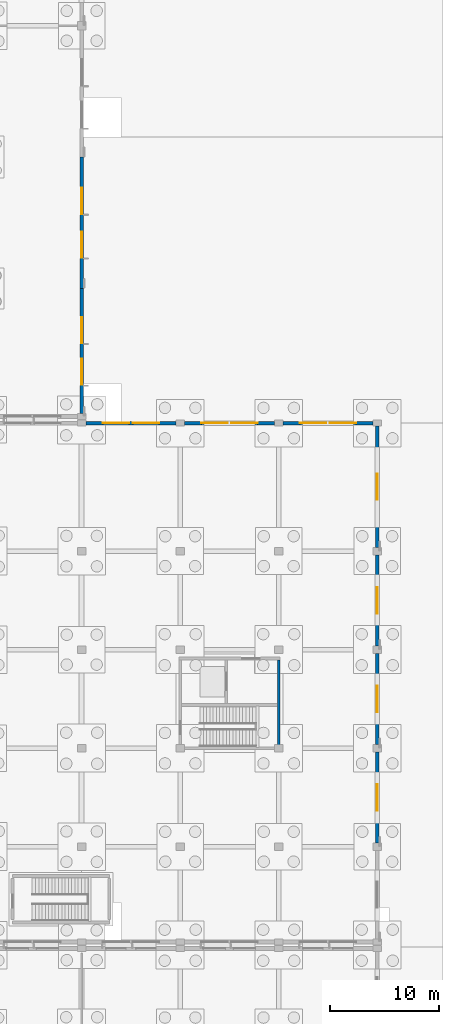
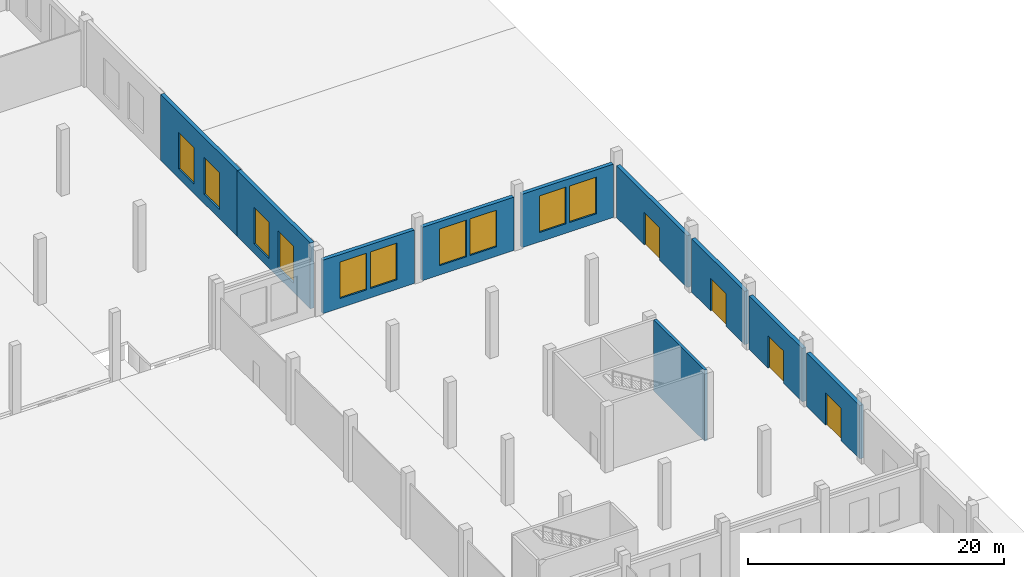
# One storey, part 71 of 99: 10 walls, 10 windows, 4 doors, 14 openings.
"""IFC4 building model written with IfcOpenShell, lengths in metres."""

from ifc_helpers import new_model, si_unit, direction, frame, frame_2d, origin, place, context, subcontext, project, spatial, rectangle, extrude, material, layer, layer_set, type_object, element, fill, save


model = new_model("IFC4")

# Units and contexts
model_context = context("Model", 3, precision=1e-05, world=origin(), true_north=direction((0.0, 1.0)))
body_context = subcontext(model_context, "Body", "Model", "MODEL_VIEW")
ifc_project = project(units=[si_unit("LENGTHUNIT", "METRE"), si_unit("AREAUNIT", "SQUARE_METRE"), si_unit("VOLUMEUNIT", "CUBIC_METRE"), si_unit("PLANEANGLEUNIT", "RADIAN"), si_unit("MASSUNIT", "GRAM", prefix="KILO")], contexts=[model_context])

# Site, building, storey
site_placement = place(None, origin())
site = spatial("IfcSite", under=ifc_project, at=site_placement, CompositionType="ELEMENT")
building_placement = place(site_placement, origin())
building = spatial("IfcBuilding", under=site, at=building_placement, Name="Zacnel Wholesale Market", CompositionType="ELEMENT")
storey_placement = place(building_placement, origin())
storey = spatial("IfcBuildingStorey", under=building, at=storey_placement, Name="L01", CompositionType="ELEMENT", Elevation=0.0)

# Wall
ifc_material_1 = material(Name="Concrete C40/50", Category="concrete")
ifc_layer_1 = layer(ifc_material_1, 0.25)
ifc_layer_set_1 = layer_set([ifc_layer_1], Name="Concrete C40/50")
wall_type_1 = type_object("IfcWallType", Name="WL-CORE-SW250", PredefinedType="SOLIDWALL", material=ifc_layer_set_1)
wall_1_placement = place(storey_placement, frame((207.0, 66.125, -0.5), z_axis=(0.0, 0.0, 1.0), x_axis=(0.0, 1.0, 0.0)))
element("IfcWall", 1, at=wall_1_placement, inside=storey, type_object=wall_type_1, Name="Core C7 east shear wall L01", PredefinedType="SOLIDWALL", context=body_context, shape_type="SweptSolid", body=[
    extrude(rectangle(XDim=7.949951171875, YDim=0.25, at=frame_2d((3.97509765625, 0.0))), origin(), (0.0, 0.0, 1.0), 6.800048828125),
])

# Wall, openings, windows
ifc_material_2 = material(Name="Precast concrete C40/50 (Cancun limestone aggregate)", Category="masonry")
ifc_layer_2 = layer(ifc_material_2, 0.340087890625)
ifc_layer_set_2 = layer_set([ifc_layer_2], Name="Precast concrete C40/50 (Cancun limestone aggregate)")
wall_type_2 = type_object("IfcWallType", Name="WL-EXT-LIME-340", PredefinedType="SOLIDWALL", material=ifc_layer_set_2)
wall_2_placement = place(storey_placement, frame((189.0, 96.574951171875, 0.0), z_axis=(0.0, 0.0, 1.0), x_axis=(0.0, 1.0, 0.0)))
wall_2 = element("IfcWall", 2, at=wall_2_placement, inside=storey, type_object=wall_type_2, Name="Exterior wall L01-0150", PredefinedType="SOLIDWALL", context=body_context, shape_type="SweptSolid", body=[
    extrude(rectangle(XDim=11.425048828125, YDim=0.340087890625, at=frame_2d((5.71240234375, 0.0))), origin(), (0.0, 0.0, 1.0), 6.300048828125),
])
opening_1_placement = place(wall_2_placement, frame((2.60791015625, 0.0, 0.89990234375)))
opening_1 = element("IfcOpeningElement", 3, at=opening_1_placement, cuts=wall_2, Name="Opening W-01", PredefinedType="OPENING", context=body_context, shape_type="SweptSolid", body=[
    extrude(rectangle(XDim=2.39990234375, YDim=3.5, at=frame_2d((1.199951171875, 1.75))), frame((0.0, 0.179931640625, 0.0), z_axis=(0.0, -1.0, 0.0), x_axis=(1.0, 0.0, 0.0)), (0.0, 0.0, 1.0), 0.360107421875),
])
opening_2_placement = place(wall_2_placement, frame((6.4169921875, 0.0, 0.89990234375)))
opening_2 = element("IfcOpeningElement", 4, at=opening_2_placement, cuts=wall_2, Name="Opening W-01", PredefinedType="OPENING", context=body_context, shape_type="SweptSolid", body=[
    extrude(rectangle(XDim=2.39990234375, YDim=3.5, at=frame_2d((1.199951171875, 1.75))), frame((0.0, 0.179931640625, 0.0), z_axis=(0.0, -1.0, 0.0), x_axis=(1.0, 0.0, 0.0)), (0.0, 0.0, 1.0), 0.360107421875),
])
ifc_material_3 = material(Name="Laminated hurricane-impact low-E insulated glass", Category="glass")
window_type = type_object("IfcWindowType", Name="WIN-DEC-2400X3500", PartitioningType="TRIPLE_PANEL_VERTICAL", PredefinedType="WINDOW", material=ifc_material_3)
window_1_placement = place(opening_1_placement, origin())
window_1 = element("IfcWindow", 5, at=window_1_placement, inside=storey, type_object=window_type, Name="Window L01-0154", OverallHeight=3.5, OverallWidth=2.39990234375, PartitioningType="TRIPLE_PANEL_VERTICAL", PredefinedType="WINDOW", context=body_context, shape_type="SweptSolid", body=[
    extrude(rectangle(XDim=2.39990234375, YDim=3.5, at=frame_2d((1.199951171875, 1.75))), frame((0.0, 0.030029296875, 0.0), z_axis=(0.0, -1.0, 0.0), x_axis=(1.0, 0.0, 0.0)), (0.0, 0.0, 1.0), 0.06005859375),
])
fill(opening_1, window_1)
window_2_placement = place(opening_2_placement, origin())
window_2 = element("IfcWindow", 6, at=window_2_placement, inside=storey, type_object=window_type, Name="Window L01-0155", OverallHeight=3.5, OverallWidth=2.39990234375, PartitioningType="TRIPLE_PANEL_VERTICAL", PredefinedType="WINDOW", context=body_context, shape_type="SweptSolid", body=[
    extrude(rectangle(XDim=2.39990234375, YDim=3.5, at=frame_2d((1.199951171875, 1.75))), frame((0.0, 0.030029296875, 0.0), z_axis=(0.0, -1.0, 0.0), x_axis=(1.0, 0.0, 0.0)), (0.0, 0.0, 1.0), 0.06005859375),
])
fill(opening_2, window_2)

wall_3_placement = place(storey_placement, frame((189.0, 108.0, 0.0), z_axis=(0.0, 0.0, 1.0), x_axis=(0.0, 1.0, 0.0)))
wall_3 = element("IfcWall", 7, at=wall_3_placement, inside=storey, type_object=wall_type_2, Name="Exterior wall L01-0151", PredefinedType="SOLIDWALL", context=body_context, shape_type="SweptSolid", body=[
    extrude(rectangle(XDim=12.0, YDim=0.340087890625, at=frame_2d((6.0, 0.0))), origin(), (0.0, 0.0, 1.0), 6.300048828125),
])
opening_3_placement = place(wall_3_placement, frame((2.800048828125, 0.0, 0.89990234375)))
opening_3 = element("IfcOpeningElement", 8, at=opening_3_placement, cuts=wall_3, Name="Opening W-01", PredefinedType="OPENING", context=body_context, shape_type="SweptSolid", body=[
    extrude(rectangle(XDim=2.39990234375, YDim=3.5, at=frame_2d((1.199951171875, 1.75))), frame((0.0, 0.179931640625, 0.0), z_axis=(0.0, -1.0, 0.0), x_axis=(1.0, 0.0, 0.0)), (0.0, 0.0, 1.0), 0.360107421875),
])
opening_4_placement = place(wall_3_placement, frame((6.800048828125, 0.0, 0.89990234375)))
opening_4 = element("IfcOpeningElement", 9, at=opening_4_placement, cuts=wall_3, Name="Opening W-01", PredefinedType="OPENING", context=body_context, shape_type="SweptSolid", body=[
    extrude(rectangle(XDim=2.39990234375, YDim=3.5, at=frame_2d((1.199951171875, 1.75))), frame((0.0, 0.179931640625, 0.0), z_axis=(0.0, -1.0, 0.0), x_axis=(1.0, 0.0, 0.0)), (0.0, 0.0, 1.0), 0.360107421875),
])
window_3_placement = place(opening_3_placement, origin())
window_3 = element("IfcWindow", 10, at=window_3_placement, inside=storey, type_object=window_type, Name="Window L01-0156", OverallHeight=3.5, OverallWidth=2.39990234375, PartitioningType="TRIPLE_PANEL_VERTICAL", PredefinedType="WINDOW", context=body_context, shape_type="SweptSolid", body=[
    extrude(rectangle(XDim=2.39990234375, YDim=3.5, at=frame_2d((1.199951171875, 1.75))), frame((0.0, 0.030029296875, 0.0), z_axis=(0.0, -1.0, 0.0), x_axis=(1.0, 0.0, 0.0)), (0.0, 0.0, 1.0), 0.06005859375),
])
fill(opening_3, window_3)
window_4_placement = place(opening_4_placement, origin())
window_4 = element("IfcWindow", 11, at=window_4_placement, inside=storey, type_object=window_type, Name="Window L01-0157", OverallHeight=3.5, OverallWidth=2.39990234375, PartitioningType="TRIPLE_PANEL_VERTICAL", PredefinedType="WINDOW", context=body_context, shape_type="SweptSolid", body=[
    extrude(rectangle(XDim=2.39990234375, YDim=3.5, at=frame_2d((1.199951171875, 1.75))), frame((0.0, 0.030029296875, 0.0), z_axis=(0.0, -1.0, 0.0), x_axis=(1.0, 0.0, 0.0)), (0.0, 0.0, 1.0), 0.06005859375),
])
fill(opening_4, window_4)

wall_4_placement = place(storey_placement, frame((189.375, 95.699951171875, 0.0), z_axis=(0.0, 0.0, 1.0), x_axis=(1.0, 0.0, 0.0)))
wall_4 = element("IfcWall", 12, at=wall_4_placement, inside=storey, type_object=wall_type_2, Name="Exterior wall L01-0163", PredefinedType="SOLIDWALL", context=body_context, shape_type="SweptSolid", body=[
    extrude(rectangle(XDim=8.25, YDim=0.340087890625, at=frame_2d((4.125, 0.0))), origin(), (0.0, 0.0, 1.0), 5.10009765625),
])
opening_5_placement = place(wall_4_placement, frame((1.550048828125, 0.0, 0.89990234375)))
opening_5 = element("IfcOpeningElement", 13, at=opening_5_placement, cuts=wall_4, Name="Opening W-01", PredefinedType="OPENING", context=body_context, shape_type="SweptSolid", body=[
    extrude(rectangle(XDim=2.39990234375, YDim=3.5, at=frame_2d((1.199951171875, 1.75))), frame((0.0, 0.179931640625, 0.0), z_axis=(0.0, -1.0, 0.0), x_axis=(1.0, 0.0, 0.0)), (0.0, 0.0, 1.0), 0.360107421875),
])
opening_6_placement = place(wall_4_placement, frame((4.300048828125, 0.0, 0.89990234375)))
opening_6 = element("IfcOpeningElement", 14, at=opening_6_placement, cuts=wall_4, Name="Opening W-01", PredefinedType="OPENING", context=body_context, shape_type="SweptSolid", body=[
    extrude(rectangle(XDim=2.39990234375, YDim=3.5, at=frame_2d((1.199951171875, 1.75))), frame((0.0, 0.179931640625, 0.0), z_axis=(0.0, -1.0, 0.0), x_axis=(1.0, 0.0, 0.0)), (0.0, 0.0, 1.0), 0.360107421875),
])
window_5_placement = place(opening_5_placement, origin())
window_5 = element("IfcWindow", 15, at=window_5_placement, inside=storey, type_object=window_type, Name="Window L01-0180", OverallHeight=3.5, OverallWidth=2.39990234375, PartitioningType="TRIPLE_PANEL_VERTICAL", PredefinedType="WINDOW", context=body_context, shape_type="SweptSolid", body=[
    extrude(rectangle(XDim=2.39990234375, YDim=3.5, at=frame_2d((1.199951171875, 1.75))), frame((0.0, 0.030029296875, 0.0), z_axis=(0.0, -1.0, 0.0), x_axis=(1.0, 0.0, 0.0)), (0.0, 0.0, 1.0), 0.06005859375),
])
fill(opening_5, window_5)
window_6_placement = place(opening_6_placement, origin())
window_6 = element("IfcWindow", 16, at=window_6_placement, inside=storey, type_object=window_type, Name="Window L01-0181", OverallHeight=3.5, OverallWidth=2.39990234375, PartitioningType="TRIPLE_PANEL_VERTICAL", PredefinedType="WINDOW", context=body_context, shape_type="SweptSolid", body=[
    extrude(rectangle(XDim=2.39990234375, YDim=3.5, at=frame_2d((1.199951171875, 1.75))), frame((0.0, 0.030029296875, 0.0), z_axis=(0.0, -1.0, 0.0), x_axis=(1.0, 0.0, 0.0)), (0.0, 0.0, 1.0), 0.06005859375),
])
fill(opening_6, window_6)

wall_5_placement = place(storey_placement, frame((198.375, 95.699951171875, 0.0), z_axis=(0.0, 0.0, 1.0), x_axis=(1.0, 0.0, 0.0)))
wall_5 = element("IfcWall", 17, at=wall_5_placement, inside=storey, type_object=wall_type_2, Name="Exterior wall L01-0164", PredefinedType="SOLIDWALL", context=body_context, shape_type="SweptSolid", body=[
    extrude(rectangle(XDim=8.25, YDim=0.340087890625, at=frame_2d((4.125, 0.0))), origin(), (0.0, 0.0, 1.0), 5.10009765625),
])
opening_7_placement = place(wall_5_placement, frame((1.550048828125, 0.0, 0.89990234375)))
opening_7 = element("IfcOpeningElement", 18, at=opening_7_placement, cuts=wall_5, Name="Opening W-01", PredefinedType="OPENING", context=body_context, shape_type="SweptSolid", body=[
    extrude(rectangle(XDim=2.39990234375, YDim=3.5, at=frame_2d((1.199951171875, 1.75))), frame((0.0, 0.179931640625, 0.0), z_axis=(0.0, -1.0, 0.0), x_axis=(1.0, 0.0, 0.0)), (0.0, 0.0, 1.0), 0.360107421875),
])
opening_8_placement = place(wall_5_placement, frame((4.300048828125, 0.0, 0.89990234375)))
opening_8 = element("IfcOpeningElement", 19, at=opening_8_placement, cuts=wall_5, Name="Opening W-01", PredefinedType="OPENING", context=body_context, shape_type="SweptSolid", body=[
    extrude(rectangle(XDim=2.39990234375, YDim=3.5, at=frame_2d((1.199951171875, 1.75))), frame((0.0, 0.179931640625, 0.0), z_axis=(0.0, -1.0, 0.0), x_axis=(1.0, 0.0, 0.0)), (0.0, 0.0, 1.0), 0.360107421875),
])
window_7_placement = place(opening_7_placement, origin())
window_7 = element("IfcWindow", 20, at=window_7_placement, inside=storey, type_object=window_type, Name="Window L01-0182", OverallHeight=3.5, OverallWidth=2.39990234375, PartitioningType="TRIPLE_PANEL_VERTICAL", PredefinedType="WINDOW", context=body_context, shape_type="SweptSolid", body=[
    extrude(rectangle(XDim=2.39990234375, YDim=3.5, at=frame_2d((1.199951171875, 1.75))), frame((0.0, 0.030029296875, 0.0), z_axis=(0.0, -1.0, 0.0), x_axis=(1.0, 0.0, 0.0)), (0.0, 0.0, 1.0), 0.06005859375),
])
fill(opening_7, window_7)
window_8_placement = place(opening_8_placement, origin())
window_8 = element("IfcWindow", 21, at=window_8_placement, inside=storey, type_object=window_type, Name="Window L01-0183", OverallHeight=3.5, OverallWidth=2.39990234375, PartitioningType="TRIPLE_PANEL_VERTICAL", PredefinedType="WINDOW", context=body_context, shape_type="SweptSolid", body=[
    extrude(rectangle(XDim=2.39990234375, YDim=3.5, at=frame_2d((1.199951171875, 1.75))), frame((0.0, 0.030029296875, 0.0), z_axis=(0.0, -1.0, 0.0), x_axis=(1.0, 0.0, 0.0)), (0.0, 0.0, 1.0), 0.06005859375),
])
fill(opening_8, window_8)

wall_6_placement = place(storey_placement, frame((207.375, 95.699951171875, 0.0), z_axis=(0.0, 0.0, 1.0), x_axis=(1.0, 0.0, 0.0)))
wall_6 = element("IfcWall", 22, at=wall_6_placement, inside=storey, type_object=wall_type_2, Name="Exterior wall L01-0165", PredefinedType="SOLIDWALL", context=body_context, shape_type="SweptSolid", body=[
    extrude(rectangle(XDim=8.25, YDim=0.340087890625, at=frame_2d((4.125, 0.0))), origin(), (0.0, 0.0, 1.0), 5.10009765625),
])
opening_9_placement = place(wall_6_placement, frame((1.550048828125, 0.0, 0.89990234375)))
opening_9 = element("IfcOpeningElement", 23, at=opening_9_placement, cuts=wall_6, Name="Opening W-01", PredefinedType="OPENING", context=body_context, shape_type="SweptSolid", body=[
    extrude(rectangle(XDim=2.39990234375, YDim=3.5, at=frame_2d((1.199951171875, 1.75))), frame((0.0, 0.179931640625, 0.0), z_axis=(0.0, -1.0, 0.0), x_axis=(1.0, 0.0, 0.0)), (0.0, 0.0, 1.0), 0.360107421875),
])
opening_10_placement = place(wall_6_placement, frame((4.300048828125, 0.0, 0.89990234375)))
opening_10 = element("IfcOpeningElement", 24, at=opening_10_placement, cuts=wall_6, Name="Opening W-01", PredefinedType="OPENING", context=body_context, shape_type="SweptSolid", body=[
    extrude(rectangle(XDim=2.39990234375, YDim=3.5, at=frame_2d((1.199951171875, 1.75))), frame((0.0, 0.179931640625, 0.0), z_axis=(0.0, -1.0, 0.0), x_axis=(1.0, 0.0, 0.0)), (0.0, 0.0, 1.0), 0.360107421875),
])
window_9_placement = place(opening_9_placement, origin())
window_9 = element("IfcWindow", 25, at=window_9_placement, inside=storey, type_object=window_type, Name="Window L01-0184", OverallHeight=3.5, OverallWidth=2.39990234375, PartitioningType="TRIPLE_PANEL_VERTICAL", PredefinedType="WINDOW", context=body_context, shape_type="SweptSolid", body=[
    extrude(rectangle(XDim=2.39990234375, YDim=3.5, at=frame_2d((1.199951171875, 1.75))), frame((0.0, 0.030029296875, 0.0), z_axis=(0.0, -1.0, 0.0), x_axis=(1.0, 0.0, 0.0)), (0.0, 0.0, 1.0), 0.06005859375),
])
fill(opening_9, window_9)
window_10_placement = place(opening_10_placement, origin())
window_10 = element("IfcWindow", 26, at=window_10_placement, inside=storey, type_object=window_type, Name="Window L01-0185", OverallHeight=3.5, OverallWidth=2.39990234375, PartitioningType="TRIPLE_PANEL_VERTICAL", PredefinedType="WINDOW", context=body_context, shape_type="SweptSolid", body=[
    extrude(rectangle(XDim=2.39990234375, YDim=3.5, at=frame_2d((1.199951171875, 1.75))), frame((0.0, 0.030029296875, 0.0), z_axis=(0.0, -1.0, 0.0), x_axis=(1.0, 0.0, 0.0)), (0.0, 0.0, 1.0), 0.06005859375),
])
fill(opening_10, window_10)

# Wall, opening, door
wall_7_placement = place(storey_placement, frame((216.0, 57.35009765625, 0.0), z_axis=(0.0, 0.0, 1.0), x_axis=(0.0, 1.0, 0.0)))
wall_7 = element("IfcWall", 27, at=wall_7_placement, inside=storey, type_object=wall_type_2, Name="Exterior wall L01-0172", PredefinedType="SOLIDWALL", context=body_context, shape_type="SweptSolid", body=[
    extrude(rectangle(XDim=8.2998046875, YDim=0.340087890625, at=frame_2d((4.14990234375, 0.0))), origin(), (0.0, 0.0, 1.0), 5.10009765625),
])
opening_11_placement = place(wall_7_placement, frame((2.949951171875, 0.0, 0.0)))
opening_11 = element("IfcOpeningElement", 28, at=opening_11_placement, cuts=wall_7, Name="Opening ED-01", PredefinedType="OPENING", context=body_context, shape_type="SweptSolid", body=[
    extrude(rectangle(XDim=2.39990234375, YDim=3.10009765625, at=frame_2d((1.199951171875, 1.550048828125))), frame((0.0, 0.179931640625, 0.0), z_axis=(0.0, -1.0, 0.0), x_axis=(1.0, 0.0, 0.0)), (0.0, 0.0, 1.0), 0.360107421875),
])
ifc_material_4 = material(Name="Anodised aluminium", Category="aluminium")
door_type = type_object("IfcDoorType", Name="DR-EXT-PORTAL-2400", OperationType="NOTDEFINED", PredefinedType="DOOR", material=ifc_material_4)
door_1_placement = place(opening_11_placement, origin())
door_1 = element("IfcDoor", 29, at=door_1_placement, inside=storey, type_object=door_type, Name="Fruit hall arcade portal 047", OperationType="DOUBLE_DOOR_SINGLE_SWING", OverallHeight=3.10009765625, OverallWidth=2.39990234375, PredefinedType="DOOR", context=body_context, shape_type="SweptSolid", body=[
    extrude(rectangle(XDim=2.39990234375, YDim=3.10009765625, at=frame_2d((1.199951171875, 1.550048828125))), frame((0.0, 0.02490234375, 0.0), z_axis=(0.0, -1.0, 0.0), x_axis=(1.0, 0.0, 0.0)), (0.0, 0.0, 1.0), 0.050048828125),
])
fill(opening_11, door_1)

wall_8_placement = place(storey_placement, frame((216.0, 66.35009765625, 0.0), z_axis=(0.0, 0.0, 1.0), x_axis=(0.0, 1.0, 0.0)))
wall_8 = element("IfcWall", 30, at=wall_8_placement, inside=storey, type_object=wall_type_2, Name="Exterior wall L01-0173", PredefinedType="SOLIDWALL", context=body_context, shape_type="SweptSolid", body=[
    extrude(rectangle(XDim=8.2998046875, YDim=0.340087890625, at=frame_2d((4.14990234375, 0.0))), origin(), (0.0, 0.0, 1.0), 5.10009765625),
])
opening_12_placement = place(wall_8_placement, frame((2.949951171875, 0.0, 0.0)))
opening_12 = element("IfcOpeningElement", 31, at=opening_12_placement, cuts=wall_8, Name="Opening ED-01", PredefinedType="OPENING", context=body_context, shape_type="SweptSolid", body=[
    extrude(rectangle(XDim=2.39990234375, YDim=3.10009765625, at=frame_2d((1.199951171875, 1.550048828125))), frame((0.0, 0.179931640625, 0.0), z_axis=(0.0, -1.0, 0.0), x_axis=(1.0, 0.0, 0.0)), (0.0, 0.0, 1.0), 0.360107421875),
])
door_2_placement = place(opening_12_placement, origin())
door_2 = element("IfcDoor", 32, at=door_2_placement, inside=storey, type_object=door_type, Name="Fruit hall arcade portal 048", OperationType="DOUBLE_DOOR_SINGLE_SWING", OverallHeight=3.10009765625, OverallWidth=2.39990234375, PredefinedType="DOOR", context=body_context, shape_type="SweptSolid", body=[
    extrude(rectangle(XDim=2.39990234375, YDim=3.10009765625, at=frame_2d((1.199951171875, 1.550048828125))), frame((0.0, 0.02490234375, 0.0), z_axis=(0.0, -1.0, 0.0), x_axis=(1.0, 0.0, 0.0)), (0.0, 0.0, 1.0), 0.050048828125),
])
fill(opening_12, door_2)

wall_9_placement = place(storey_placement, frame((216.0, 75.35009765625, 0.0), z_axis=(0.0, 0.0, 1.0), x_axis=(0.0, 1.0, 0.0)))
wall_9 = element("IfcWall", 33, at=wall_9_placement, inside=storey, type_object=wall_type_2, Name="Exterior wall L01-0174", PredefinedType="SOLIDWALL", context=body_context, shape_type="SweptSolid", body=[
    extrude(rectangle(XDim=8.2998046875, YDim=0.340087890625, at=frame_2d((4.14990234375, 0.0))), origin(), (0.0, 0.0, 1.0), 5.10009765625),
])
opening_13_placement = place(wall_9_placement, frame((2.949951171875, 0.0, 0.0)))
opening_13 = element("IfcOpeningElement", 34, at=opening_13_placement, cuts=wall_9, Name="Opening ED-01", PredefinedType="OPENING", context=body_context, shape_type="SweptSolid", body=[
    extrude(rectangle(XDim=2.39990234375, YDim=3.10009765625, at=frame_2d((1.199951171875, 1.550048828125))), frame((0.0, 0.179931640625, 0.0), z_axis=(0.0, -1.0, 0.0), x_axis=(1.0, 0.0, 0.0)), (0.0, 0.0, 1.0), 0.360107421875),
])
door_3_placement = place(opening_13_placement, origin())
door_3 = element("IfcDoor", 35, at=door_3_placement, inside=storey, type_object=door_type, Name="Fruit hall arcade portal 049", OperationType="DOUBLE_DOOR_SINGLE_SWING", OverallHeight=3.10009765625, OverallWidth=2.39990234375, PredefinedType="DOOR", context=body_context, shape_type="SweptSolid", body=[
    extrude(rectangle(XDim=2.39990234375, YDim=3.10009765625, at=frame_2d((1.199951171875, 1.550048828125))), frame((0.0, 0.02490234375, 0.0), z_axis=(0.0, -1.0, 0.0), x_axis=(1.0, 0.0, 0.0)), (0.0, 0.0, 1.0), 0.050048828125),
])
fill(opening_13, door_3)

wall_10_placement = place(storey_placement, frame((216.0, 84.35009765625, 0.0), z_axis=(0.0, 0.0, 1.0), x_axis=(0.0, 1.0, 0.0)))
wall_10 = element("IfcWall", 36, at=wall_10_placement, inside=storey, type_object=wall_type_2, Name="Exterior wall L01-0175", PredefinedType="SOLIDWALL", context=body_context, shape_type="SweptSolid", body=[
    extrude(rectangle(XDim=11.074951171875, YDim=0.340087890625, at=frame_2d((5.53759765625, 0.0))), origin(), (0.0, 0.0, 1.0), 4.949951171875),
])
opening_14_placement = place(wall_10_placement, frame((4.3369140625, 0.0, 0.0)))
opening_14 = element("IfcOpeningElement", 37, at=opening_14_placement, cuts=wall_10, Name="Opening ED-01", PredefinedType="OPENING", context=body_context, shape_type="SweptSolid", body=[
    extrude(rectangle(XDim=2.39990234375, YDim=3.10009765625, at=frame_2d((1.199951171875, 1.550048828125))), frame((0.0, 0.179931640625, 0.0), z_axis=(0.0, -1.0, 0.0), x_axis=(1.0, 0.0, 0.0)), (0.0, 0.0, 1.0), 0.360107421875),
])
door_4_placement = place(opening_14_placement, origin())
door_4 = element("IfcDoor", 38, at=door_4_placement, inside=storey, type_object=door_type, Name="Fruit hall arcade portal 050", OperationType="DOUBLE_DOOR_SINGLE_SWING", OverallHeight=3.10009765625, OverallWidth=2.39990234375, PredefinedType="DOOR", context=body_context, shape_type="SweptSolid", body=[
    extrude(rectangle(XDim=2.39990234375, YDim=3.10009765625, at=frame_2d((1.199951171875, 1.550048828125))), frame((0.0, 0.02490234375, 0.0), z_axis=(0.0, -1.0, 0.0), x_axis=(1.0, 0.0, 0.0)), (0.0, 0.0, 1.0), 0.050048828125),
])
fill(opening_14, door_4)

save(model, "model.ifc")
